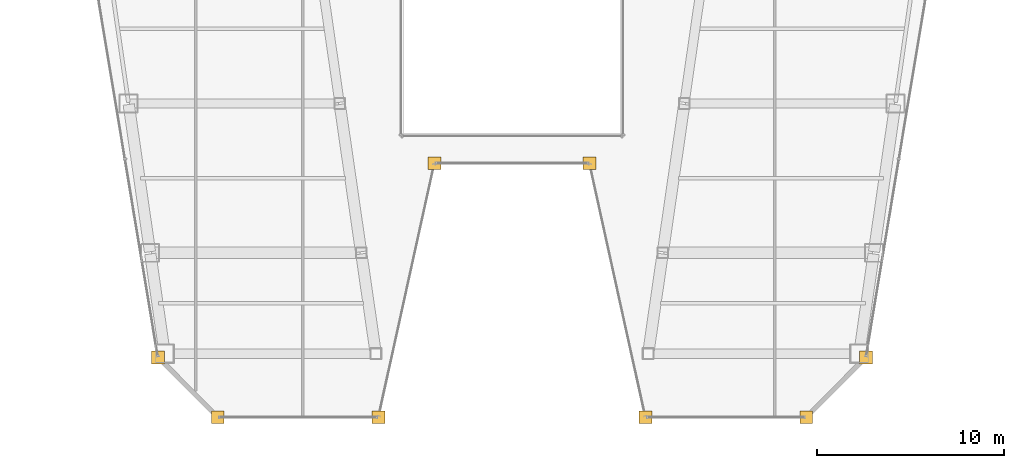
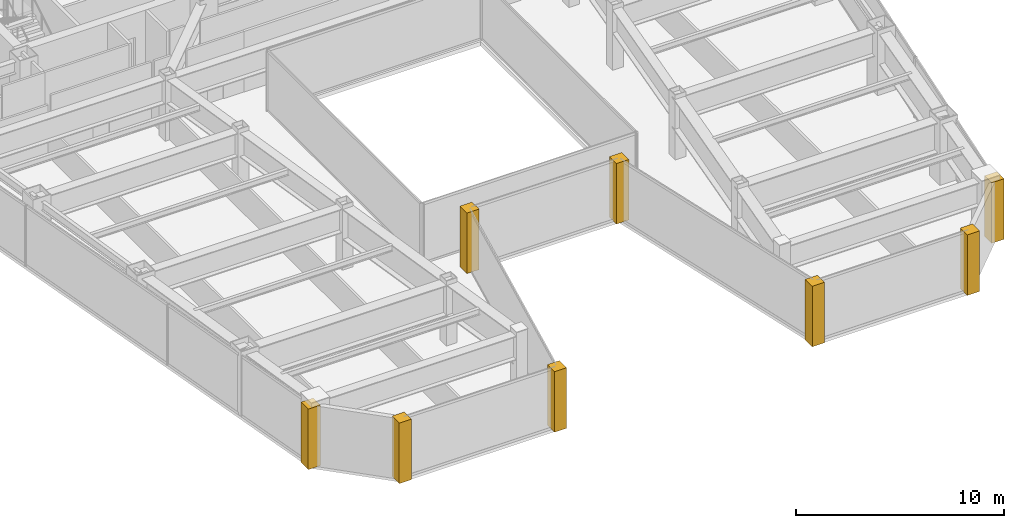
# One storey, part 35 of 37: 8 coverings.
"""IFC4 building model written with IfcOpenShell, lengths in metres."""

from ifc_helpers import new_model, si_unit, direction, frame, origin, place, context, subcontext, project, spatial, polyline, outline, extrude, material, layer, layer_set, type_object, element, save


model = new_model("IFC4")

# Units and contexts
model_context = context("Model", 3, precision=1e-05, world=origin(), true_north=direction((0.0, 1.0)))
body_context = subcontext(model_context, "Body", "Model", "MODEL_VIEW")
ifc_project = project(units=[si_unit("LENGTHUNIT", "METRE"), si_unit("AREAUNIT", "SQUARE_METRE"), si_unit("VOLUMEUNIT", "CUBIC_METRE"), si_unit("PLANEANGLEUNIT", "RADIAN"), si_unit("MASSUNIT", "GRAM", prefix="KILO")], contexts=[model_context])

# Site, building, storey
site_placement = place(None, origin())
site = spatial("IfcSite", under=ifc_project, at=site_placement, CompositionType="ELEMENT")
building_placement = place(site_placement, origin())
building = spatial("IfcBuilding", under=site, at=building_placement, Name="Saevonmaru Cultural Tower", CompositionType="ELEMENT")
storey_placement = place(building_placement, frame((0.0, 0.0, 163.800048828125)))
storey = spatial("IfcBuildingStorey", under=building, at=storey_placement, Name="L36", CompositionType="ELEMENT", Elevation=163.800048828125)

# Coverings
ifc_material = material(Name="Satin Bronze Anodised Aluminium", Category="aluminium")
ifc_layer = layer(ifc_material, 0.679931640625, Name="Satin Bronze Anodised Aluminium")
ifc_layer_set = layer_set([ifc_layer], Name="Satin Bronze Anodised Aluminium")
covering_type = type_object("IfcCoveringType", Name="CV-CORNER-CLAD", PredefinedType="CLADDING", material=ifc_layer_set)
covering_1_placement = place(storey_placement, origin())
element("IfcCovering", 1, at=covering_1_placement, inside=storey, type_object=covering_type, Name="L36 Tower Bronze Corner Cladding Pier 1", PredefinedType="CLADDING", context=body_context, shape_type="SweptSolid", body=[
    extrude(outline(polyline([(10.708984375, 10.06005859375), (11.388916015625, 10.06005859375), (11.388916015625, 10.739990234375), (10.708984375, 10.739990234375), (10.708984375, 10.06005859375)])), origin(), (0.0, 0.0, 1.0), 3.550048828125),
])
covering_2_placement = place(storey_placement, origin())
element("IfcCovering", 2, at=covering_2_placement, inside=storey, type_object=covering_type, Name="L36 Tower Bronze Corner Cladding Pier 2", PredefinedType="CLADDING", context=body_context, shape_type="SweptSolid", body=[
    extrude(outline(polyline([(13.908935546875, 6.860107421875), (14.589111328125, 6.860107421875), (14.589111328125, 7.5400390625), (13.908935546875, 7.5400390625), (13.908935546875, 6.860107421875)])), origin(), (0.0, 0.0, 1.0), 3.550048828125),
])
covering_3_placement = place(storey_placement, origin())
element("IfcCovering", 3, at=covering_3_placement, inside=storey, type_object=covering_type, Name="L36 Tower Bronze Corner Cladding Pier 3", PredefinedType="CLADDING", context=body_context, shape_type="SweptSolid", body=[
    extrude(outline(polyline([(22.509033203125, 6.860107421875), (23.18896484375, 6.860107421875), (23.18896484375, 7.5400390625), (22.509033203125, 7.5400390625), (22.509033203125, 6.860107421875)])), origin(), (0.0, 0.0, 1.0), 3.550048828125),
])
covering_4_placement = place(storey_placement, origin())
element("IfcCovering", 4, at=covering_4_placement, inside=storey, type_object=covering_type, Name="L36 Tower Bronze Corner Cladding Pier 4", PredefinedType="CLADDING", context=body_context, shape_type="SweptSolid", body=[
    extrude(outline(polyline([(25.509033203125, 20.4599609375), (26.18896484375, 20.4599609375), (26.18896484375, 21.139892578125), (25.509033203125, 21.139892578125), (25.509033203125, 20.4599609375)])), origin(), (0.0, 0.0, 1.0), 3.550048828125),
])
covering_5_placement = place(storey_placement, origin())
element("IfcCovering", 5, at=covering_5_placement, inside=storey, type_object=covering_type, Name="L36 Tower Bronze Corner Cladding Pier 5", PredefinedType="CLADDING", context=body_context, shape_type="SweptSolid", body=[
    extrude(outline(polyline([(33.81103515625, 20.4599609375), (34.490966796875, 20.4599609375), (34.490966796875, 21.139892578125), (33.81103515625, 21.139892578125), (33.81103515625, 20.4599609375)])), origin(), (0.0, 0.0, 1.0), 3.550048828125),
])
covering_6_placement = place(storey_placement, origin())
element("IfcCovering", 6, at=covering_6_placement, inside=storey, type_object=covering_type, Name="L36 Tower Bronze Corner Cladding Pier 6", PredefinedType="CLADDING", context=body_context, shape_type="SweptSolid", body=[
    extrude(outline(polyline([(36.81103515625, 6.860107421875), (37.490966796875, 6.860107421875), (37.490966796875, 7.5400390625), (36.81103515625, 7.5400390625), (36.81103515625, 6.860107421875)])), origin(), (0.0, 0.0, 1.0), 3.550048828125),
])
covering_7_placement = place(storey_placement, origin())
element("IfcCovering", 7, at=covering_7_placement, inside=storey, type_object=covering_type, Name="L36 Tower Bronze Corner Cladding Pier 7", PredefinedType="CLADDING", context=body_context, shape_type="SweptSolid", body=[
    extrude(outline(polyline([(45.410888671875, 6.860107421875), (46.091064453125, 6.860107421875), (46.091064453125, 7.5400390625), (45.410888671875, 7.5400390625), (45.410888671875, 6.860107421875)])), origin(), (0.0, 0.0, 1.0), 3.550048828125),
])
covering_8_placement = place(storey_placement, origin())
element("IfcCovering", 8, at=covering_8_placement, inside=storey, type_object=covering_type, Name="L36 Tower Bronze Corner Cladding Pier 8", PredefinedType="CLADDING", context=body_context, shape_type="SweptSolid", body=[
    extrude(outline(polyline([(48.611083984375, 10.06005859375), (49.291015625, 10.06005859375), (49.291015625, 10.739990234375), (48.611083984375, 10.739990234375), (48.611083984375, 10.06005859375)])), origin(), (0.0, 0.0, 1.0), 3.550048828125),
])

save(model, "model.ifc")
